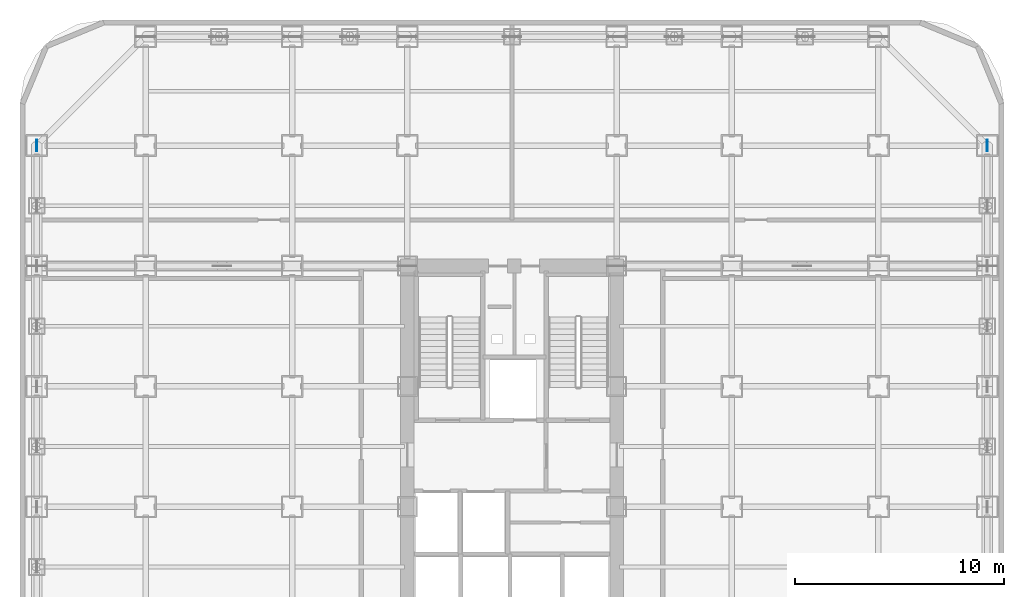
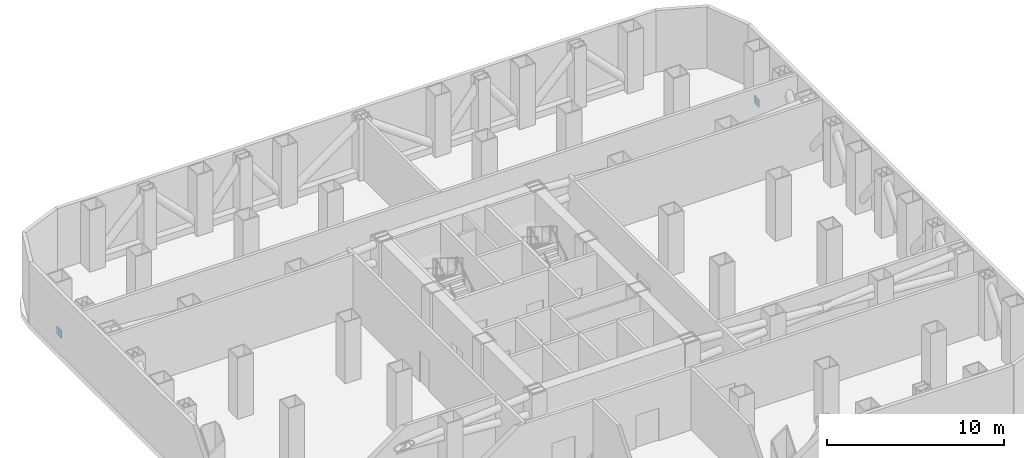
# One storey, part 7 of 10: 2 plates.
"""IFC4 building model written with IfcOpenShell, lengths in metres."""

from ifc_helpers import new_model, si_unit, direction, frame, origin, origin_2d, place, context, subcontext, project, spatial, rectangle, extrude, source, transform, mapped, material, layer, layer_set, type_object, element, save


model = new_model("IFC4")

# Units and contexts
model_context = context("Model", 3, precision=1e-05, world=origin(), true_north=direction((0.0, 1.0)))
body_context = subcontext(model_context, "Body", "Model", "MODEL_VIEW")
ifc_project = project(units=[si_unit("LENGTHUNIT", "METRE"), si_unit("AREAUNIT", "SQUARE_METRE"), si_unit("VOLUMEUNIT", "CUBIC_METRE"), si_unit("PLANEANGLEUNIT", "RADIAN"), si_unit("MASSUNIT", "GRAM", prefix="KILO")], contexts=[model_context])

# Site, building, storey
site_placement = place(None, origin())
site = spatial("IfcSite", under=ifc_project, at=site_placement, CompositionType="ELEMENT")
building_placement = place(site_placement, origin())
building = spatial("IfcBuilding", under=site, at=building_placement, Name="Kolveth Station Tower", CompositionType="ELEMENT")
storey_placement = place(building_placement, frame((0.0, 0.0, 76.5)))
storey = spatial("IfcBuildingStorey", under=building, at=storey_placement, Name="L20", CompositionType="ELEMENT", Elevation=76.5)

# Plates
ifc_material = material(Name="Steel S355", Category="steel")
ifc_layer = layer(ifc_material, 0.028076171875)
ifc_layer_set = layer_set([ifc_layer], Name="Steel S355")
plate_type = type_object("IfcPlateType", Name="Plate_CP1", PredefinedType="USERDEFINED", material=ifc_layer_set)
shared_shape = source(origin(), body_context, "Body", "SweptSolid", [
    extrude(rectangle(XDim=0.028076171875, YDim=0.550048828125, at=origin_2d()), origin(), (0.0, 0.0, 1.0), 0.550048828125),
])
for number, where, z_axis, x_axis, name in (
    (1, (0.800048828125, 34.5, 0.0751953125), (0.0, 0.0, 1.0), (1.0, 0.0, 0.0), "L20 Belt Truss Base Plate W6"),
    (2, (46.199951171875, 34.5, 0.0751953125), (0.0, 0.0, 1.0), (1.0, 0.0, 0.0), "L20 Belt Truss Base Plate E6"),
):
    element("IfcPlate", number, at=place(storey_placement, frame(where, z_axis=z_axis, x_axis=x_axis)), inside=storey, type_object=plate_type, Name=name, ObjectType="GUSSET_PLATE", PredefinedType="USERDEFINED", context=body_context, shape_type="MappedRepresentation", body=[
        mapped(shared_shape, transform((0.0, 0.0, 0.0), x_axis=(1.0, 0.0, 0.0), y_axis=(0.0, 1.0, 0.0), z_axis=(0.0, 0.0, 1.0), scale=1.0)),
    ])

save(model, "model.ifc")
